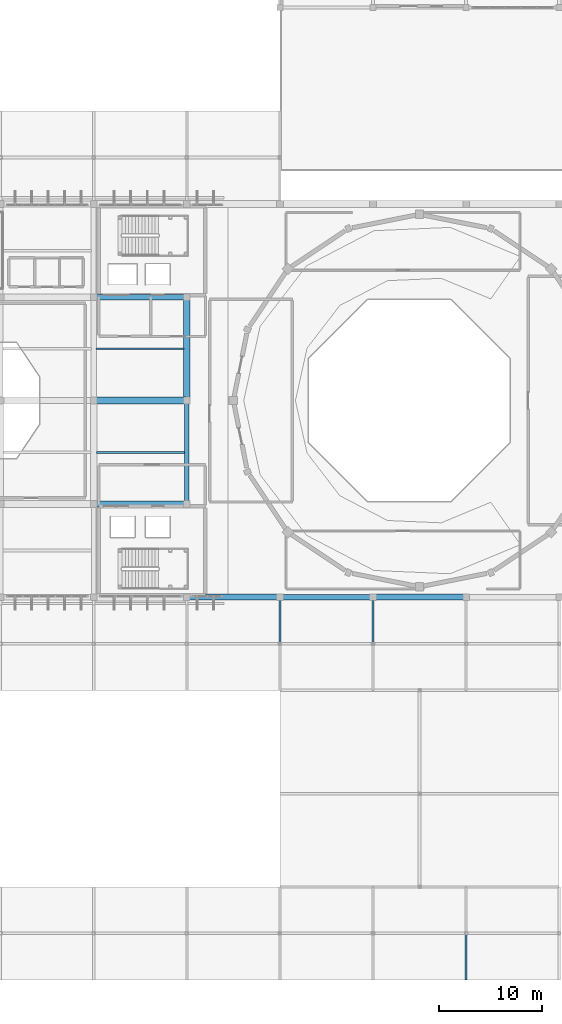
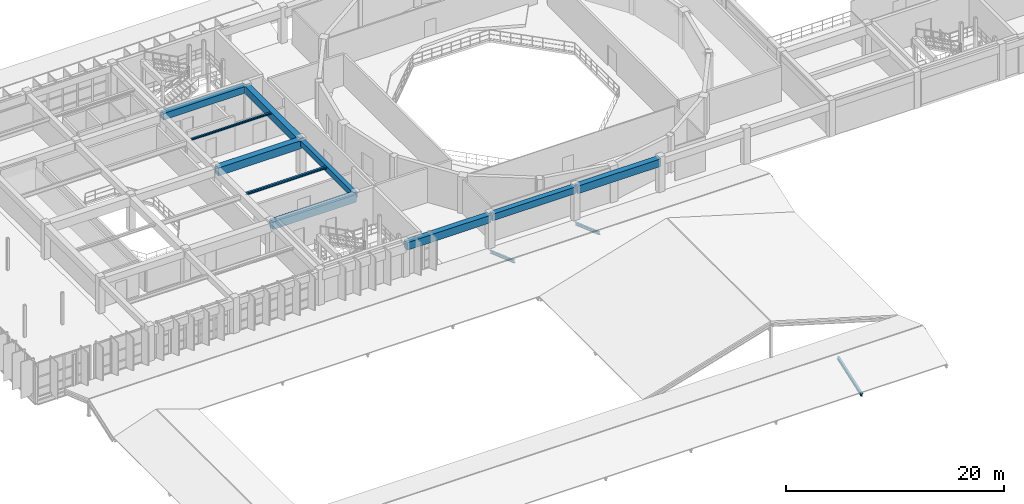
# One storey, part 30 of 80: 10 beams, 3 members.
"""IFC4 building model written with IfcOpenShell, lengths in metres."""

from ifc_helpers import new_model, si_unit, direction, frame, origin, origin_2d, place, context, subcontext, project, spatial, rectangle, i_section, extrude, material, material_profile, profile_set, type_object, element, save


model = new_model("IFC4")

# Units and contexts
model_context = context("Model", 3, precision=1e-05, world=origin(), true_north=direction((0.0, 1.0)))
body_context = subcontext(model_context, "Body", "Model", "MODEL_VIEW")
ifc_project = project(units=[si_unit("LENGTHUNIT", "METRE"), si_unit("AREAUNIT", "SQUARE_METRE"), si_unit("VOLUMEUNIT", "CUBIC_METRE"), si_unit("PLANEANGLEUNIT", "RADIAN"), si_unit("MASSUNIT", "GRAM", prefix="KILO")], contexts=[model_context])

# Site, building, storey
site_placement = place(None, origin())
site = spatial("IfcSite", under=ifc_project, at=site_placement, CompositionType="ELEMENT")
building_placement = place(site_placement, origin())
building = spatial("IfcBuilding", under=site, at=building_placement, Name="Miravela Opera House", CompositionType="ELEMENT")
storey_placement = place(building_placement, frame((0.0, 0.0, 17.679931640625)))
storey = spatial("IfcBuildingStorey", under=building, at=storey_placement, Name="L04", CompositionType="ELEMENT", Elevation=17.679931640625)

# Beams
ifc_material_1 = material(Name="Concrete C35/45", Category="concrete")
ifc_material_profile_1 = material_profile(ifc_material_1, rectangle(XDim=0.449951171875, YDim=0.64990234375, at=origin_2d()), Name="RC-BM-450X650")
ifc_profile_set_1 = profile_set([ifc_material_profile_1])
beam_type_1 = type_object("IfcBeamType", Name="STR-BM-RC450X650", PredefinedType="BEAM", material=ifc_profile_set_1)
beam_1_placement = place(storey_placement, frame((54.0, 46.080078125, 3.51513671875), z_axis=(0.0, 1.0, 0.0), x_axis=(-1.0, 0.0, 0.0)))
element("IfcBeam", 1, at=beam_1_placement, inside=storey, type_object=beam_type_1, Name="Floor Girder L04 7/F-G", PredefinedType="BEAM", context=body_context, shape_type="SweptSolid", body=[
    extrude(rectangle(XDim=0.449951171875, YDim=0.64990234375, at=origin_2d()), origin(), (0.0, 0.0, 1.0), 9.83984375),
])
ifc_material_profile_2 = material_profile(ifc_material_1, rectangle(XDim=0.550048828125, YDim=0.75, at=origin_2d()), Name="RC-BM-550X750")
ifc_profile_set_2 = profile_set([ifc_material_profile_2])
beam_type_2 = type_object("IfcBeamType", Name="STR-BM-RC550X750", PredefinedType="BEAM", material=ifc_profile_set_2)
for number, where, z_axis, x_axis, name in (
    (2, (45.080078125, 66.0, 3.465087890625), (1.0, 0.0, 0.0), (0.0, 1.0, 0.0), "Floor Girder L04 6-7/H"),
    (3, (63.080078125, 37.0, 3.465087890625), (1.0, 0.0, 0.0), (0.0, 1.0, 0.0), "Floor Girder L04 8-9/E"),
):
    element("IfcBeam", number, at=place(storey_placement, frame(where, z_axis=z_axis, x_axis=x_axis)), inside=storey, type_object=beam_type_2, Name=name, PredefinedType="BEAM", context=body_context, shape_type="SweptSolid", body=[
        extrude(rectangle(XDim=0.550048828125, YDim=0.75, at=origin_2d()), origin(), (0.0, 0.0, 1.0), 8.83984375),
    ])
ifc_material_2 = material(Name="Concrete C40/50", Category="concrete")
ifc_material_profile_3 = material_profile(ifc_material_2, rectangle(XDim=0.60009765625, YDim=0.85009765625, at=origin_2d()), Name="RC-BM-600X850")
ifc_profile_set_3 = profile_set([ifc_material_profile_3])
beam_type_3 = type_object("IfcBeamType", Name="STR-BM-RC600X850", PredefinedType="BEAM", material=ifc_profile_set_3)
for number, where, z_axis, x_axis, name in (
    (4, (45.080078125, 46.0, 3.4150390625), (1.0, 0.0, 0.0), (0.0, 1.0, 0.0), "Floor Girder L04 6-7/F"),
    (5, (54.080078125, 37.0, 3.4150390625), (1.0, 0.0, 0.0), (0.0, 1.0, 0.0), "Floor Girder L04 7-8/E"),
    (6, (72.080078125, 37.0, 3.4150390625), (1.0, 0.0, 0.0), (0.0, 1.0, 0.0), "Floor Girder L04 9-10/E"),
):
    element("IfcBeam", number, at=place(storey_placement, frame(where, z_axis=z_axis, x_axis=x_axis)), inside=storey, type_object=beam_type_3, Name=name, PredefinedType="BEAM", context=body_context, shape_type="SweptSolid", body=[
        extrude(rectangle(XDim=0.60009765625, YDim=0.85009765625, at=origin_2d()), origin(), (0.0, 0.0, 1.0), 8.83984375),
    ])
beam_2_placement = place(storey_placement, frame((54.0, 56.080078125, 3.4150390625), z_axis=(0.0, 1.0, 0.0), x_axis=(-1.0, 0.0, 0.0)))
element("IfcBeam", 7, at=beam_2_placement, inside=storey, type_object=beam_type_3, Name="Floor Girder L04 7/G-H", PredefinedType="BEAM", context=body_context, shape_type="SweptSolid", body=[
    extrude(rectangle(XDim=0.60009765625, YDim=0.85009765625, at=origin_2d()), origin(), (0.0, 0.0, 1.0), 9.83984375),
])
ifc_material_profile_4 = material_profile(ifc_material_2, rectangle(XDim=0.64990234375, YDim=0.89990234375, at=origin_2d()), Name="RC-BM-650X900")
ifc_profile_set_4 = profile_set([ifc_material_profile_4])
beam_type_4 = type_object("IfcBeamType", Name="STR-BM-RC650X900", PredefinedType="BEAM", material=ifc_profile_set_4)
beam_3_placement = place(storey_placement, frame((45.080078125, 56.0, 3.39013671875), z_axis=(1.0, 0.0, 0.0), x_axis=(0.0, 1.0, 0.0)))
element("IfcBeam", 8, at=beam_3_placement, inside=storey, type_object=beam_type_4, Name="Floor Girder L04 6-7/G", PredefinedType="BEAM", context=body_context, shape_type="SweptSolid", body=[
    extrude(rectangle(XDim=0.64990234375, YDim=0.89990234375, at=origin_2d()), origin(), (0.0, 0.0, 1.0), 8.83984375),
])
ifc_material_3 = material(Name="Structural steel ASTM A992 Gr. 50", Category="steel")
ifc_material_profile_5 = material_profile(ifc_material_3, i_section(OverallWidth=0.1650390625, OverallDepth=0.200927734375, WebThickness=0.006103515625, FlangeThickness=0.01025390625, FilletRadius=0.010009765625, at=origin_2d()), Name="W200X36")
ifc_profile_set_5 = profile_set([ifc_material_profile_5])
beam_type_5 = type_object("IfcBeamType", Name="STR-BM-W200X36", PredefinedType="LINTEL", material=ifc_profile_set_5)
beam_4_placement = place(storey_placement, frame((45.235107421875, 61.0, 3.739501953125), z_axis=(1.0, 0.0, 0.0), x_axis=(0.0, 1.0, 0.0)))
element("IfcBeam", 9, at=beam_4_placement, inside=storey, type_object=beam_type_5, Name="Secondary Floor Joist L04 6-7/G-H", PredefinedType="LINTEL", context=body_context, shape_type="SweptSolid", body=[
    extrude(i_section(OverallWidth=0.1650390625, OverallDepth=0.200927734375, WebThickness=0.006103515625, FlangeThickness=0.01025390625, FilletRadius=0.010009765625, at=origin_2d()), origin(), (0.0, 0.0, 1.0), 8.47998046875),
])
ifc_material_profile_6 = material_profile(ifc_material_3, i_section(OverallWidth=0.201904296875, OverallDepth=0.2470703125, WebThickness=0.00732421875, FlangeThickness=0.010986328125, FilletRadius=0.011962890625, at=origin_2d()), Name="W250X49")
ifc_profile_set_6 = profile_set([ifc_material_profile_6])
beam_type_6 = type_object("IfcBeamType", Name="STR-BM-W250X49", PredefinedType="LINTEL", material=ifc_profile_set_6)
beam_5_placement = place(storey_placement, frame((45.284912109375, 51.0, 3.716552734375), z_axis=(1.0, 0.0, 0.0), x_axis=(0.0, 1.0, 0.0)))
element("IfcBeam", 10, at=beam_5_placement, inside=storey, type_object=beam_type_6, Name="Secondary Floor Joist L04 6-7/F-G", PredefinedType="LINTEL", context=body_context, shape_type="SweptSolid", body=[
    extrude(i_section(OverallWidth=0.201904296875, OverallDepth=0.2470703125, WebThickness=0.00732421875, FlangeThickness=0.010986328125, FilletRadius=0.011962890625, at=origin_2d()), origin(), (0.0, 0.0, 1.0), 8.505126953125),
])

# Members
ifc_material_profile_7 = material_profile(ifc_material_3, i_section(OverallWidth=0.2041015625, OverallDepth=0.35009765625, WebThickness=0.008544921875, FlangeThickness=0.01513671875, FilletRadius=0.013916015625, at=origin_2d()), Name="W360X72")
ifc_profile_set_7 = profile_set([ifc_material_profile_7])
member_type_1 = type_object("IfcMemberType", Name="STR-MEM-RAFTER-1", PredefinedType="RAFTER", material=ifc_profile_set_7)
member_placement = place(storey_placement, frame((81.0, 0.050048828125, -0.39990234375), z_axis=(0.0, 0.943687918104, 0.3308369889), x_axis=(-1.0, 0.0, 0.0)))
element("IfcMember", 11, at=member_placement, inside=storey, type_object=member_type_1, Name="Pitched Roof Rafter ROOF-V4-WEST-S S7", PredefinedType="RAFTER", context=body_context, shape_type="SweptSolid", body=[
    extrude(i_section(OverallWidth=0.2041015625, OverallDepth=0.35009765625, WebThickness=0.008544921875, FlangeThickness=0.01513671875, FilletRadius=0.013916015625, at=origin_2d()), origin(), (0.0, 0.0, 1.0), 4.715576171875),
])
ifc_material_profile_8 = material_profile(ifc_material_3, i_section(OverallWidth=0.202880859375, OverallDepth=0.302978515625, WebThickness=0.007568359375, FlangeThickness=0.01318359375, FilletRadius=0.012939453125, at=origin_2d()), Name="W310X60")
ifc_profile_set_8 = profile_set([ifc_material_profile_8])
member_type_2 = type_object("IfcMemberType", Name="STR-MEM-RAFTER-2", PredefinedType="RAFTER", material=ifc_profile_set_8)
for number, where, z_axis, x_axis, name in (
    (12, (63.0, 36.949951171875, -0.39990234375), (0.0, -0.943687918104, 0.3308369889), (1.0, 0.0, 0.0), "Pitched Roof Rafter ROOF-V4-WEST-N N5"),
    (13, (72.0, 36.949951171875, -0.39990234375), (0.0, -0.943687918104, 0.3308369889), (1.0, 0.0, 0.0), "Pitched Roof Rafter ROOF-V4-WEST-N N6"),
):
    element("IfcMember", number, at=place(storey_placement, frame(where, z_axis=z_axis, x_axis=x_axis)), inside=storey, type_object=member_type_2, Name=name, PredefinedType="RAFTER", context=body_context, shape_type="SweptSolid", body=[
        extrude(i_section(OverallWidth=0.202880859375, OverallDepth=0.302978515625, WebThickness=0.007568359375, FlangeThickness=0.01318359375, FilletRadius=0.012939453125, at=origin_2d()), origin(), (0.0, 0.0, 1.0), 4.715576171875),
    ])

save(model, "model.ifc")
